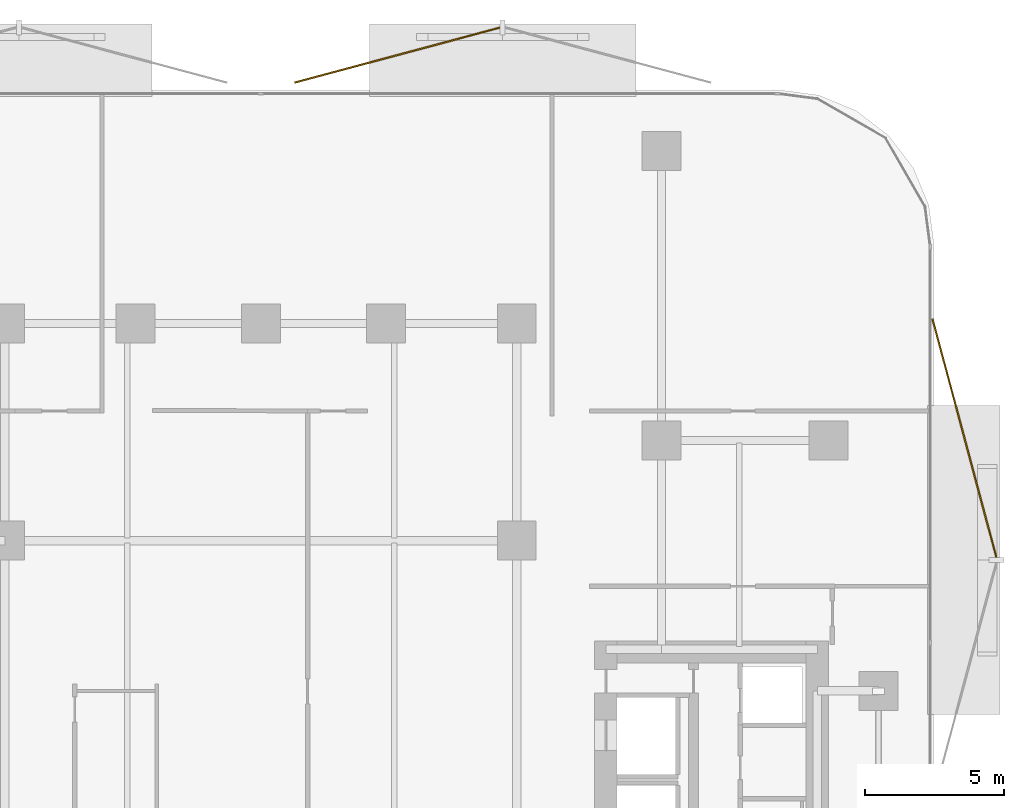
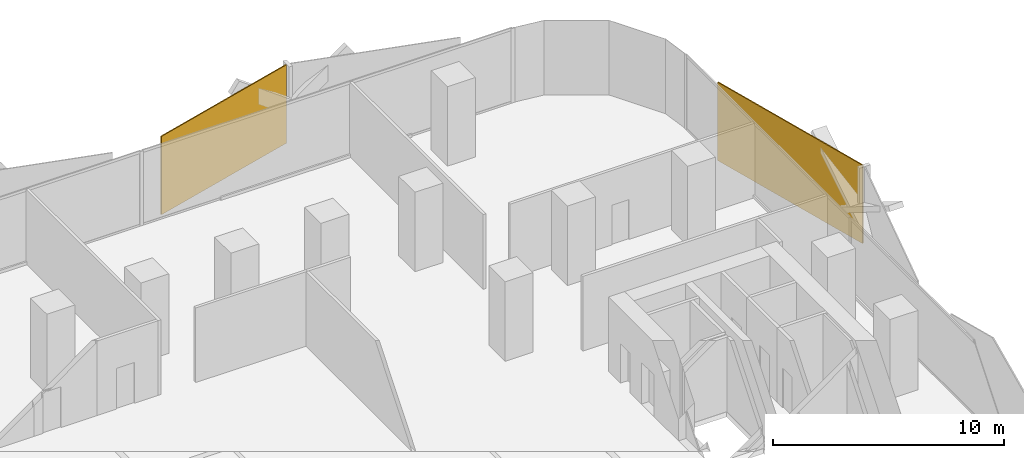
# One storey, part 15 of 15: 2 coverings.
"""IFC4 building model written with IfcOpenShell, lengths in metres."""

from ifc_helpers import new_model, si_unit, direction, frame, origin, origin_2d, place, context, subcontext, project, spatial, rectangle, extrude, material, layer, layer_set, type_object, element, save


model = new_model("IFC4")

# Units and contexts
model_context = context("Model", 3, precision=1e-05, world=origin(), true_north=direction((0.0, 1.0)))
body_context = subcontext(model_context, "Body", "Model", "MODEL_VIEW")
ifc_project = project(units=[si_unit("LENGTHUNIT", "METRE"), si_unit("AREAUNIT", "SQUARE_METRE"), si_unit("VOLUMEUNIT", "CUBIC_METRE"), si_unit("PLANEANGLEUNIT", "RADIAN"), si_unit("MASSUNIT", "GRAM", prefix="KILO")], contexts=[model_context])

# Site, building, storey
site_placement = place(None, origin())
site = spatial("IfcSite", under=ifc_project, at=site_placement, CompositionType="ELEMENT")
building_placement = place(site_placement, origin())
building = spatial("IfcBuilding", under=site, at=building_placement, Name="Khairoan Windgate Tower", CompositionType="ELEMENT")
storey_placement = place(building_placement, frame((0.0, 0.0, 68.0)))
storey = spatial("IfcBuildingStorey", under=building, at=storey_placement, Name="L16", CompositionType="ELEMENT", Elevation=68.0)

# Coverings
ifc_material = material(Name="Anodised Bronze Aluminium 6063-T6", Category="aluminium")
ifc_layer = layer(ifc_material, 0.054931640625, Name="Anodised Bronze Aluminium 6063-T6")
ifc_layer_set = layer_set([ifc_layer], Name="Anodised Bronze Aluminium 6063-T6")
covering_type = type_object("IfcCoveringType", Name="Perforated Bronze-Ceramic Folded Solar Screen Cladding BSC-1", PredefinedType="CLADDING", material=ifc_layer_set)
covering_1_placement = place(storey_placement, frame((4.909912109375, 28.249755859375, -0.10009765625), z_axis=(0.0, 0.0, 1.0), x_axis=(0.965925826289, 0.258819045103, 0.0)))
element("IfcCovering", 1, at=covering_1_placement, inside=storey, type_object=covering_type, Name="L16 Folded Bronze Solar Screen Facet 86L", PredefinedType="CLADDING", context=body_context, shape_type="SweptSolid", body=[
    extrude(rectangle(XDim=7.652099609375, YDim=0.054931640625, at=origin_2d()), origin(), (0.0, 0.0, 1.0), 4.139892578125),
])
covering_2_placement = place(storey_placement, frame((25.290283203125, 14.47607421875, -0.10009765625), z_axis=(0.0, 0.0, 1.0), x_axis=(0.258819045103, -0.965925826289, 0.0)))
element("IfcCovering", 2, at=covering_2_placement, inside=storey, type_object=covering_type, Name="L16 Folded Bronze Solar Screen Facet 87L", PredefinedType="CLADDING", context=body_context, shape_type="SweptSolid", body=[
    extrude(rectangle(XDim=8.884033203125, YDim=0.054931640625, at=origin_2d()), origin(), (0.0, 0.0, 1.0), 4.139892578125),
])

save(model, "model.ifc")
